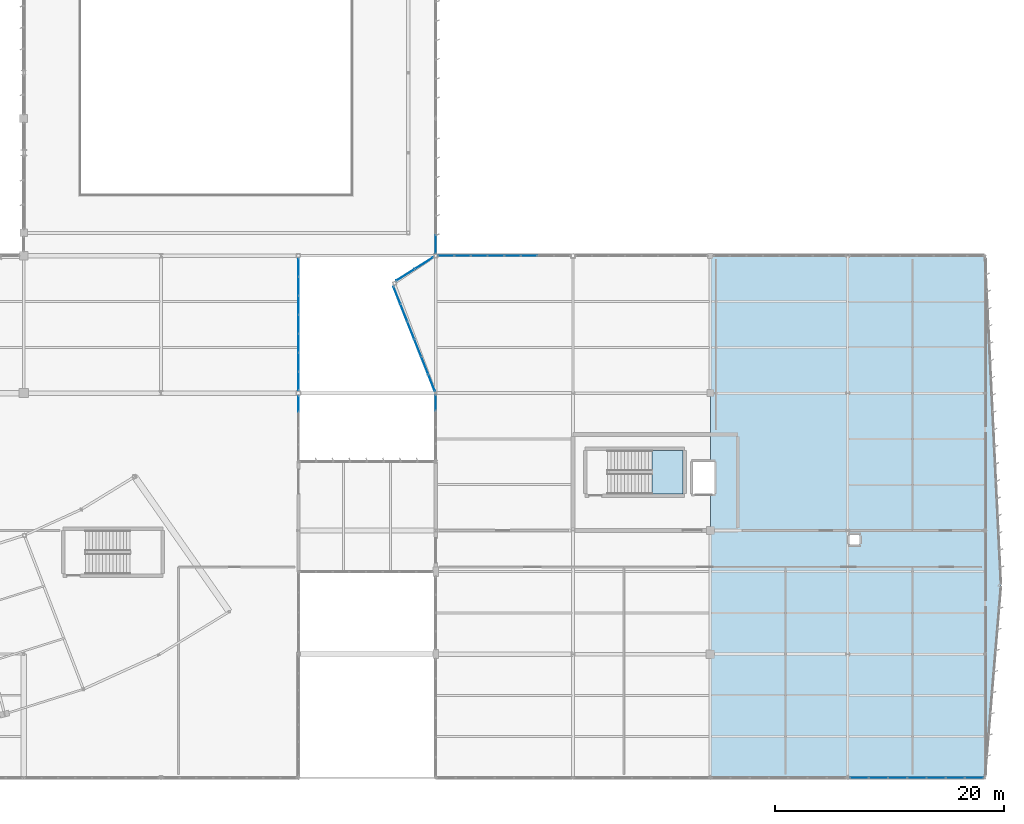
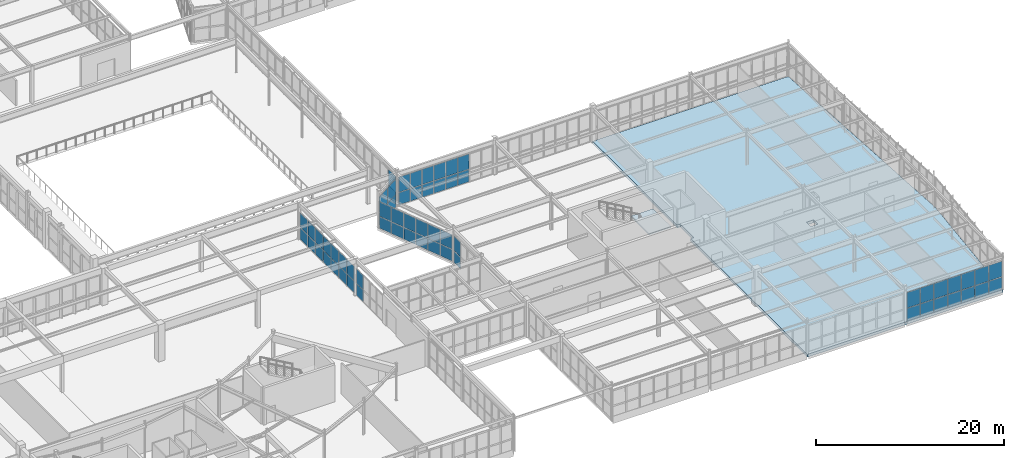
# One storey, part 121 of 186: 62 plates, 2 slabs, 9 elements without a shape of their own.
"""IFC4 building model written with IfcOpenShell, lengths in metres."""

from ifc_helpers import new_model, si_unit, direction, frame, origin, origin_2d, place, context, subcontext, project, spatial, polyline, rectangle, outline, extrude, material, layer, layer_set, type_object, element, aggregate, save


model = new_model("IFC4")

# Units and contexts
model_context = context("Model", 3, precision=1e-05, world=origin(), true_north=direction((0.0, 1.0)))
body_context = subcontext(model_context, "Body", "Model", "MODEL_VIEW")
ifc_project = project(units=[si_unit("LENGTHUNIT", "METRE"), si_unit("AREAUNIT", "SQUARE_METRE"), si_unit("VOLUMEUNIT", "CUBIC_METRE"), si_unit("PLANEANGLEUNIT", "RADIAN"), si_unit("MASSUNIT", "GRAM", prefix="KILO")], contexts=[model_context])

# Site, building, storey
site_placement = place(None, origin())
site = spatial("IfcSite", under=ifc_project, at=site_placement, CompositionType="ELEMENT")
building_placement = place(site_placement, origin())
building = spatial("IfcBuilding", under=site, at=building_placement, Name="Tarnwether General Hospital", CompositionType="ELEMENT")
storey_placement = place(building_placement, frame((0.0, 0.0, 9.60009765625)))
storey = spatial("IfcBuildingStorey", under=building, at=storey_placement, Name="L02", CompositionType="ELEMENT", Elevation=9.60009765625)

# Curtain wall, plates
ifc_material_1 = material(Name="Anodised aluminium", Category="aluminium")
ifc_layer_1 = layer(ifc_material_1, 0.179931640625)
ifc_layer_set_1 = layer_set([ifc_layer_1], Name="Anodised aluminium")
curtain_wall_type_1 = type_object("IfcCurtainWallType", Name="CW-06", PredefinedType="NOTDEFINED", material=ifc_layer_set_1)
curtain_wall_1_placement = place(storey_placement, origin())
curtain_wall_1 = element("IfcCurtainWall", 1, at=curtain_wall_1_placement, inside=storey, type_object=curtain_wall_type_1, Name="Curtain Wall CWG-L02-1440_575-0418", PredefinedType="NOTDEFINED")
ifc_material_2 = material(Name="Double glazed low-E glass", Category="glass")
ifc_layer_2 = layer(ifc_material_2, 0.028076171875)
ifc_layer_set_2 = layer_set([ifc_layer_2], Name="Double glazed low-E glass")
plate_type = type_object("IfcPlateType", Name="PT-CWP1", PredefinedType="CURTAIN_PANEL", material=ifc_layer_set_2)
plate_1_placement = place(storey_placement, frame((144.0, 46.6220703125, 0.06005859375), z_axis=(0.0, 0.0, 1.0), x_axis=(0.0, -1.0, 0.0)))
plate_1 = element("IfcPlate", 2, at=plate_1_placement, type_object=plate_type, Name="CW-06 panel 7.1", PredefinedType="CURTAIN_PANEL", context=body_context, shape_type="SweptSolid", body=[
    extrude(rectangle(XDim=1.584228515625, YDim=0.028076171875, at=origin_2d()), origin(), (0.0, 0.0, 1.0), 1.592041015625),
])
plate_2_placement = place(storey_placement, frame((144.0, 46.6220703125, 1.712158203125), z_axis=(0.0, 0.0, 1.0), x_axis=(0.0, -1.0, 0.0)))
plate_2 = element("IfcPlate", 3, at=plate_2_placement, type_object=plate_type, Name="CW-06 panel 7.2", PredefinedType="CURTAIN_PANEL", context=body_context, shape_type="SweptSolid", body=[
    extrude(rectangle(XDim=1.584228515625, YDim=0.028076171875, at=origin_2d()), origin(), (0.0, 0.0, 1.0), 1.9658203125),
])
aggregate(curtain_wall_1, [plate_1, plate_2])

ifc_material_3 = material(Name="Anodised aluminium", Category="aluminium")
ifc_layer_3 = layer(ifc_material_3, 0.159912109375)
ifc_layer_set_3 = layer_set([ifc_layer_3], Name="Anodised aluminium")
curtain_wall_type_2 = type_object("IfcCurtainWallType", Name="CW-15", PredefinedType="NOTDEFINED", material=ifc_layer_set_3)
curtain_wall_2_placement = place(storey_placement, origin())
curtain_wall_2 = element("IfcCurtainWall", 4, at=curtain_wall_2_placement, inside=storey, type_object=curtain_wall_type_2, Name="Curtain Wall CWG-L02-1320_454-0438", PredefinedType="NOTDEFINED")
plate_3_placement = place(storey_placement, frame((132.0, 44.5703125, 0.059814453125), z_axis=(0.0, 0.0, 1.0), x_axis=(0.0, -1.0, 0.0)))
plate_3 = element("IfcPlate", 5, at=plate_3_placement, type_object=plate_type, Name="CW-15 panel 1.1", PredefinedType="CURTAIN_PANEL", context=body_context, shape_type="SweptSolid", body=[
    extrude(rectangle(XDim=1.567626953125, YDim=0.028076171875, at=origin_2d()), origin(), (0.0, 0.0, 1.0), 1.49853515625),
])
plate_4_placement = place(storey_placement, frame((132.0, 44.5703125, 1.618408203125), z_axis=(0.0, 0.0, 1.0), x_axis=(0.0, -1.0, 0.0)))
plate_4 = element("IfcPlate", 6, at=plate_4_placement, type_object=plate_type, Name="CW-15 panel 1.2", PredefinedType="CURTAIN_PANEL", context=body_context, shape_type="SweptSolid", body=[
    extrude(rectangle(XDim=1.567626953125, YDim=0.028076171875, at=origin_2d()), origin(), (0.0, 0.0, 1.0), 1.8515625),
])
plate_5_placement = place(storey_placement, frame((132.0, 42.927734375, 0.059814453125), z_axis=(0.0, 0.0, 1.0), x_axis=(0.0, -1.0, 0.0)))
plate_5 = element("IfcPlate", 7, at=plate_5_placement, type_object=plate_type, Name="CW-15 panel 2.1", PredefinedType="CURTAIN_PANEL", context=body_context, shape_type="SweptSolid", body=[
    extrude(rectangle(XDim=1.59765625, YDim=0.028076171875, at=origin_2d()), origin(), (0.0, 0.0, 1.0), 1.49853515625),
])
plate_6_placement = place(storey_placement, frame((132.0, 42.927734375, 1.618408203125), z_axis=(0.0, 0.0, 1.0), x_axis=(0.0, -1.0, 0.0)))
plate_6 = element("IfcPlate", 8, at=plate_6_placement, type_object=plate_type, Name="CW-15 panel 2.2", PredefinedType="CURTAIN_PANEL", context=body_context, shape_type="SweptSolid", body=[
    extrude(rectangle(XDim=1.59765625, YDim=0.028076171875, at=origin_2d()), origin(), (0.0, 0.0, 1.0), 1.8515625),
])
plate_7_placement = place(storey_placement, frame((132.0, 41.27001953125, 0.059814453125), z_axis=(0.0, 0.0, 1.0), x_axis=(0.0, -1.0, 0.0)))
plate_7 = element("IfcPlate", 9, at=plate_7_placement, type_object=plate_type, Name="CW-15 panel 3.1", PredefinedType="CURTAIN_PANEL", context=body_context, shape_type="SweptSolid", body=[
    extrude(rectangle(XDim=1.59765625, YDim=0.028076171875, at=origin_2d()), origin(), (0.0, 0.0, 1.0), 1.49853515625),
])
plate_8_placement = place(storey_placement, frame((132.0, 41.27001953125, 1.618408203125), z_axis=(0.0, 0.0, 1.0), x_axis=(0.0, -1.0, 0.0)))
plate_8 = element("IfcPlate", 10, at=plate_8_placement, type_object=plate_type, Name="CW-15 panel 3.2", PredefinedType="CURTAIN_PANEL", context=body_context, shape_type="SweptSolid", body=[
    extrude(rectangle(XDim=1.59765625, YDim=0.028076171875, at=origin_2d()), origin(), (0.0, 0.0, 1.0), 1.8515625),
])
plate_9_placement = place(storey_placement, frame((132.0, 39.612548828125, 0.059814453125), z_axis=(0.0, 0.0, 1.0), x_axis=(0.0, -1.0, 0.0)))
plate_9 = element("IfcPlate", 11, at=plate_9_placement, type_object=plate_type, Name="CW-15 panel 4.1", PredefinedType="CURTAIN_PANEL", context=body_context, shape_type="SweptSolid", body=[
    extrude(rectangle(XDim=1.59765625, YDim=0.028076171875, at=origin_2d()), origin(), (0.0, 0.0, 1.0), 1.49853515625),
])
plate_10_placement = place(storey_placement, frame((132.0, 39.612548828125, 1.618408203125), z_axis=(0.0, 0.0, 1.0), x_axis=(0.0, -1.0, 0.0)))
plate_10 = element("IfcPlate", 12, at=plate_10_placement, type_object=plate_type, Name="CW-15 panel 4.2", PredefinedType="CURTAIN_PANEL", context=body_context, shape_type="SweptSolid", body=[
    extrude(rectangle(XDim=1.59765625, YDim=0.028076171875, at=origin_2d()), origin(), (0.0, 0.0, 1.0), 1.8515625),
])
plate_11_placement = place(storey_placement, frame((132.0, 37.954833984375, 0.059814453125), z_axis=(0.0, 0.0, 1.0), x_axis=(0.0, -1.0, 0.0)))
plate_11 = element("IfcPlate", 13, at=plate_11_placement, type_object=plate_type, Name="CW-15 panel 5.1", PredefinedType="CURTAIN_PANEL", context=body_context, shape_type="SweptSolid", body=[
    extrude(rectangle(XDim=1.59765625, YDim=0.028076171875, at=origin_2d()), origin(), (0.0, 0.0, 1.0), 1.49853515625),
])
plate_12_placement = place(storey_placement, frame((132.0, 37.954833984375, 1.618408203125), z_axis=(0.0, 0.0, 1.0), x_axis=(0.0, -1.0, 0.0)))
plate_12 = element("IfcPlate", 14, at=plate_12_placement, type_object=plate_type, Name="CW-15 panel 5.2", PredefinedType="CURTAIN_PANEL", context=body_context, shape_type="SweptSolid", body=[
    extrude(rectangle(XDim=1.59765625, YDim=0.028076171875, at=origin_2d()), origin(), (0.0, 0.0, 1.0), 1.8515625),
])
plate_13_placement = place(storey_placement, frame((132.0, 36.29736328125, 0.059814453125), z_axis=(0.0, 0.0, 1.0), x_axis=(0.0, -1.0, 0.0)))
plate_13 = element("IfcPlate", 15, at=plate_13_placement, type_object=plate_type, Name="CW-15 panel 6.1", PredefinedType="CURTAIN_PANEL", context=body_context, shape_type="SweptSolid", body=[
    extrude(rectangle(XDim=1.59765625, YDim=0.028076171875, at=origin_2d()), origin(), (0.0, 0.0, 1.0), 1.49853515625),
])
plate_14_placement = place(storey_placement, frame((132.0, 36.29736328125, 1.618408203125), z_axis=(0.0, 0.0, 1.0), x_axis=(0.0, -1.0, 0.0)))
plate_14 = element("IfcPlate", 16, at=plate_14_placement, type_object=plate_type, Name="CW-15 panel 6.2", PredefinedType="CURTAIN_PANEL", context=body_context, shape_type="SweptSolid", body=[
    extrude(rectangle(XDim=1.59765625, YDim=0.028076171875, at=origin_2d()), origin(), (0.0, 0.0, 1.0), 1.8515625),
])
plate_15_placement = place(storey_placement, frame((132.0, 34.65478515625, 0.059814453125), z_axis=(0.0, 0.0, 1.0), x_axis=(0.0, -1.0, 0.0)))
plate_15 = element("IfcPlate", 17, at=plate_15_placement, type_object=plate_type, Name="CW-15 panel 7.1", PredefinedType="CURTAIN_PANEL", context=body_context, shape_type="SweptSolid", body=[
    extrude(rectangle(XDim=1.567626953125, YDim=0.028076171875, at=origin_2d()), origin(), (0.0, 0.0, 1.0), 1.49853515625),
])
plate_16_placement = place(storey_placement, frame((132.0, 34.65478515625, 1.618408203125), z_axis=(0.0, 0.0, 1.0), x_axis=(0.0, -1.0, 0.0)))
plate_16 = element("IfcPlate", 18, at=plate_16_placement, type_object=plate_type, Name="CW-15 panel 7.2", PredefinedType="CURTAIN_PANEL", context=body_context, shape_type="SweptSolid", body=[
    extrude(rectangle(XDim=1.567626953125, YDim=0.028076171875, at=origin_2d()), origin(), (0.0, 0.0, 1.0), 1.8515625),
])
aggregate(curtain_wall_2, [plate_3, plate_4, plate_5, plate_6, plate_7, plate_8, plate_9, plate_10, plate_11, plate_12, plate_13, plate_14, plate_15, plate_16])

curtain_wall_3_placement = place(storey_placement, origin())
curtain_wall_3 = element("IfcCurtainWall", 19, at=curtain_wall_3_placement, inside=storey, type_object=curtain_wall_type_2, Name="Curtain Wall CWG-L02-1320_334-0439", PredefinedType="NOTDEFINED")
plate_17_placement = place(storey_placement, frame((132.0, 32.660888671875, 0.059814453125), z_axis=(0.0, 0.0, 1.0), x_axis=(0.0, -1.0, 0.0)))
plate_17 = element("IfcPlate", 20, at=plate_17_placement, type_object=plate_type, Name="CW-15 panel 1.1", PredefinedType="CURTAIN_PANEL", context=body_context, shape_type="SweptSolid", body=[
    extrude(rectangle(XDim=1.336181640625, YDim=0.028076171875, at=origin_2d()), origin(), (0.0, 0.0, 1.0), 1.49853515625),
])
plate_18_placement = place(storey_placement, frame((132.0, 32.660888671875, 1.618408203125), z_axis=(0.0, 0.0, 1.0), x_axis=(0.0, -1.0, 0.0)))
plate_18 = element("IfcPlate", 21, at=plate_18_placement, type_object=plate_type, Name="CW-15 panel 1.2", PredefinedType="CURTAIN_PANEL", context=body_context, shape_type="SweptSolid", body=[
    extrude(rectangle(XDim=1.336181640625, YDim=0.028076171875, at=origin_2d()), origin(), (0.0, 0.0, 1.0), 1.8515625),
])
aggregate(curtain_wall_3, [plate_17, plate_18])

curtain_wall_4_placement = place(storey_placement, origin())
curtain_wall_4 = element("IfcCurtainWall", 22, at=curtain_wall_4_placement, inside=storey, type_object=curtain_wall_type_2, Name="Curtain Wall CWG-L02-1440_277-0440", PredefinedType="NOTDEFINED")
plate_19_placement = place(storey_placement, frame((144.0, 32.7529296875, 0.059814453125), z_axis=(0.0, 0.0, 1.0), x_axis=(0.0, 1.0, 0.0)))
plate_19 = element("IfcPlate", 23, at=plate_19_placement, type_object=plate_type, Name="CW-15 panel 4.1", PredefinedType="CURTAIN_PANEL", context=body_context, shape_type="SweptSolid", body=[
    extrude(rectangle(XDim=1.347900390625, YDim=0.028076171875, at=origin_2d()), origin(), (0.0, 0.0, 1.0), 1.49853515625),
])
plate_20_placement = place(storey_placement, frame((144.0, 32.7529296875, 1.618408203125), z_axis=(0.0, 0.0, 1.0), x_axis=(0.0, 1.0, 0.0)))
plate_20 = element("IfcPlate", 24, at=plate_20_placement, type_object=plate_type, Name="CW-15 panel 4.2", PredefinedType="CURTAIN_PANEL", context=body_context, shape_type="SweptSolid", body=[
    extrude(rectangle(XDim=1.347900390625, YDim=0.028076171875, at=origin_2d()), origin(), (0.0, 0.0, 1.0), 1.8515625),
])
aggregate(curtain_wall_4, [plate_19, plate_20])

curtain_wall_5_placement = place(storey_placement, origin())
curtain_wall_5 = element("IfcCurtainWall", 25, at=curtain_wall_5_placement, inside=storey, type_object=curtain_wall_type_2, Name="Curtain Wall CWG-L02-1439_337-0441", PredefinedType="NOTDEFINED")
plate_21_placement = place(storey_placement, frame((143.6376953125, 34.514404296875, 0.059814453125), z_axis=(0.0, 0.0, 1.0), x_axis=(-0.367993898659, 0.929828204858, 0.0)))
plate_21 = element("IfcPlate", 26, at=plate_21_placement, type_object=plate_type, Name="CW-15 panel 1.1", PredefinedType="CURTAIN_PANEL", context=body_context, shape_type="SweptSolid", body=[
    extrude(rectangle(XDim=1.560791015625, YDim=0.028076171875, at=origin_2d()), origin(), (0.0, 0.0, 1.0), 1.49853515625),
])
plate_22_placement = place(storey_placement, frame((143.6376953125, 34.514404296875, 1.618408203125), z_axis=(0.0, 0.0, 1.0), x_axis=(-0.367993898659, 0.929828204858, 0.0)))
plate_22 = element("IfcPlate", 27, at=plate_22_placement, type_object=plate_type, Name="CW-15 panel 1.2", PredefinedType="CURTAIN_PANEL", context=body_context, shape_type="SweptSolid", body=[
    extrude(rectangle(XDim=1.560791015625, YDim=0.028076171875, at=origin_2d()), origin(), (0.0, 0.0, 1.0), 1.8515625),
])
plate_23_placement = place(storey_placement, frame((143.03564453125, 36.035400390625, 0.059814453125), z_axis=(0.0, 0.0, 1.0), x_axis=(-0.367993898659, 0.929828204858, 0.0)))
plate_23 = element("IfcPlate", 28, at=plate_23_placement, type_object=plate_type, Name="CW-15 panel 2.1", PredefinedType="CURTAIN_PANEL", context=body_context, shape_type="SweptSolid", body=[
    extrude(rectangle(XDim=1.5908203125, YDim=0.028076171875, at=origin_2d()), origin(), (0.0, 0.0, 1.0), 1.49853515625),
])
plate_24_placement = place(storey_placement, frame((143.03564453125, 36.035400390625, 1.618408203125), z_axis=(0.0, 0.0, 1.0), x_axis=(-0.367993898659, 0.929828204858, 0.0)))
plate_24 = element("IfcPlate", 29, at=plate_24_placement, type_object=plate_type, Name="CW-15 panel 2.2", PredefinedType="CURTAIN_PANEL", context=body_context, shape_type="SweptSolid", body=[
    extrude(rectangle(XDim=1.5908203125, YDim=0.028076171875, at=origin_2d()), origin(), (0.0, 0.0, 1.0), 1.8515625),
])
plate_25_placement = place(storey_placement, frame((142.42822265625, 37.570556640625, 0.059814453125), z_axis=(0.0, 0.0, 1.0), x_axis=(-0.367993898659, 0.929828204858, 0.0)))
plate_25 = element("IfcPlate", 30, at=plate_25_placement, type_object=plate_type, Name="CW-15 panel 3.1", PredefinedType="CURTAIN_PANEL", context=body_context, shape_type="SweptSolid", body=[
    extrude(rectangle(XDim=1.5908203125, YDim=0.028076171875, at=origin_2d()), origin(), (0.0, 0.0, 1.0), 1.49853515625),
])
plate_26_placement = place(storey_placement, frame((142.42822265625, 37.570556640625, 1.618408203125), z_axis=(0.0, 0.0, 1.0), x_axis=(-0.367993898659, 0.929828204858, 0.0)))
plate_26 = element("IfcPlate", 31, at=plate_26_placement, type_object=plate_type, Name="CW-15 panel 3.2", PredefinedType="CURTAIN_PANEL", context=body_context, shape_type="SweptSolid", body=[
    extrude(rectangle(XDim=1.5908203125, YDim=0.028076171875, at=origin_2d()), origin(), (0.0, 0.0, 1.0), 1.8515625),
])
plate_27_placement = place(storey_placement, frame((141.82080078125, 39.10546875, 0.059814453125), z_axis=(0.0, 0.0, 1.0), x_axis=(-0.367993898659, 0.929828204858, 0.0)))
plate_27 = element("IfcPlate", 32, at=plate_27_placement, type_object=plate_type, Name="CW-15 panel 4.1", PredefinedType="CURTAIN_PANEL", context=body_context, shape_type="SweptSolid", body=[
    extrude(rectangle(XDim=1.5908203125, YDim=0.028076171875, at=origin_2d()), origin(), (0.0, 0.0, 1.0), 1.49853515625),
])
plate_28_placement = place(storey_placement, frame((141.82080078125, 39.10546875, 1.618408203125), z_axis=(0.0, 0.0, 1.0), x_axis=(-0.367993898659, 0.929828204858, 0.0)))
plate_28 = element("IfcPlate", 33, at=plate_28_placement, type_object=plate_type, Name="CW-15 panel 4.2", PredefinedType="CURTAIN_PANEL", context=body_context, shape_type="SweptSolid", body=[
    extrude(rectangle(XDim=1.5908203125, YDim=0.028076171875, at=origin_2d()), origin(), (0.0, 0.0, 1.0), 1.8515625),
])
plate_29_placement = place(storey_placement, frame((141.213134765625, 40.640380859375, 0.059814453125), z_axis=(0.0, 0.0, 1.0), x_axis=(-0.367993898659, 0.929828204858, 0.0)))
plate_29 = element("IfcPlate", 34, at=plate_29_placement, type_object=plate_type, Name="CW-15 panel 5.1", PredefinedType="CURTAIN_PANEL", context=body_context, shape_type="SweptSolid", body=[
    extrude(rectangle(XDim=1.5908203125, YDim=0.028076171875, at=origin_2d()), origin(), (0.0, 0.0, 1.0), 1.49853515625),
])
plate_30_placement = place(storey_placement, frame((141.213134765625, 40.640380859375, 1.618408203125), z_axis=(0.0, 0.0, 1.0), x_axis=(-0.367993898659, 0.929828204858, 0.0)))
plate_30 = element("IfcPlate", 35, at=plate_30_placement, type_object=plate_type, Name="CW-15 panel 5.2", PredefinedType="CURTAIN_PANEL", context=body_context, shape_type="SweptSolid", body=[
    extrude(rectangle(XDim=1.5908203125, YDim=0.028076171875, at=origin_2d()), origin(), (0.0, 0.0, 1.0), 1.8515625),
])
plate_31_placement = place(storey_placement, frame((140.611328125, 42.16162109375, 0.059814453125), z_axis=(0.0, 0.0, 1.0), x_axis=(-0.367993898659, 0.929828204858, 0.0)))
plate_31 = element("IfcPlate", 36, at=plate_31_placement, type_object=plate_type, Name="CW-15 panel 6.1", PredefinedType="CURTAIN_PANEL", context=body_context, shape_type="SweptSolid", body=[
    extrude(rectangle(XDim=1.560791015625, YDim=0.028076171875, at=origin_2d()), origin(), (0.0, 0.0, 1.0), 1.49853515625),
])
plate_32_placement = place(storey_placement, frame((140.611328125, 42.16162109375, 1.618408203125), z_axis=(0.0, 0.0, 1.0), x_axis=(-0.367993898659, 0.929828204858, 0.0)))
plate_32 = element("IfcPlate", 37, at=plate_32_placement, type_object=plate_type, Name="CW-15 panel 6.2", PredefinedType="CURTAIN_PANEL", context=body_context, shape_type="SweptSolid", body=[
    extrude(rectangle(XDim=1.560791015625, YDim=0.028076171875, at=origin_2d()), origin(), (0.0, 0.0, 1.0), 1.8515625),
])
aggregate(curtain_wall_5, [plate_21, plate_22, plate_23, plate_24, plate_25, plate_26, plate_27, plate_28, plate_29, plate_30, plate_31, plate_32])

curtain_wall_6_placement = place(storey_placement, origin())
curtain_wall_6 = element("IfcCurtainWall", 38, at=curtain_wall_6_placement, inside=storey, type_object=curtain_wall_type_2, Name="Curtain Wall CWG-L02-1405_434-0442", PredefinedType="NOTDEFINED")
plate_33_placement = place(storey_placement, frame((141.357421875, 43.9306640625, 0.06005859375), z_axis=(0.0, 0.0, 1.0), x_axis=(0.845482775896, 0.534002692561, 0.0)))
plate_33 = element("IfcPlate", 39, at=plate_33_placement, type_object=plate_type, Name="CW-15 panel 1.1", PredefinedType="CURTAIN_PANEL", context=body_context, shape_type="SweptSolid", body=[
    extrude(rectangle(XDim=1.84912109375, YDim=0.028076171875, at=origin_2d()), origin(), (0.0, 0.0, 1.0), 1.592041015625),
])
plate_34_placement = place(storey_placement, frame((141.357421875, 43.9306640625, 1.712158203125), z_axis=(0.0, 0.0, 1.0), x_axis=(0.845482775896, 0.534002692561, 0.0)))
plate_34 = element("IfcPlate", 40, at=plate_34_placement, type_object=plate_type, Name="CW-15 panel 1.2", PredefinedType="CURTAIN_PANEL", context=body_context, shape_type="SweptSolid", body=[
    extrude(rectangle(XDim=1.84912109375, YDim=0.028076171875, at=origin_2d()), origin(), (0.0, 0.0, 1.0), 1.9658203125),
])
plate_35_placement = place(storey_placement, frame((142.9716796875, 44.9501953125, 0.06005859375), z_axis=(0.0, 0.0, 1.0), x_axis=(0.845482775896, 0.534002692561, 0.0)))
plate_35 = element("IfcPlate", 41, at=plate_35_placement, type_object=plate_type, Name="CW-15 panel 2.1", PredefinedType="CURTAIN_PANEL", context=body_context, shape_type="SweptSolid", body=[
    extrude(rectangle(XDim=1.84912109375, YDim=0.028076171875, at=origin_2d()), origin(), (0.0, 0.0, 1.0), 1.592041015625),
])
plate_36_placement = place(storey_placement, frame((142.9716796875, 44.9501953125, 1.712158203125), z_axis=(0.0, 0.0, 1.0), x_axis=(0.845482775896, 0.534002692561, 0.0)))
plate_36 = element("IfcPlate", 42, at=plate_36_placement, type_object=plate_type, Name="CW-15 panel 2.2", PredefinedType="CURTAIN_PANEL", context=body_context, shape_type="SweptSolid", body=[
    extrude(rectangle(XDim=1.84912109375, YDim=0.028076171875, at=origin_2d()), origin(), (0.0, 0.0, 1.0), 1.9658203125),
])
aggregate(curtain_wall_6, [plate_33, plate_34, plate_35, plate_36])

ifc_material_4 = material(Name="Anodised aluminium", Category="aluminium")
ifc_layer_4 = layer(ifc_material_4, 0.159912109375)
ifc_layer_set_4 = layer_set([ifc_layer_4], Name="Anodised aluminium")
curtain_wall_type_3 = type_object("IfcCurtainWallType", Name="CW-18", PredefinedType="NOTDEFINED", material=ifc_layer_set_4)
curtain_wall_7_placement = place(storey_placement, origin())
curtain_wall_7 = element("IfcCurtainWall", 43, at=curtain_wall_7_placement, inside=storey, type_object=curtain_wall_type_3, Name="Curtain Wall CWG-L02-1442_456-0452", PredefinedType="NOTDEFINED")
plate_37_placement = place(storey_placement, frame((144.9111328125, 45.60009765625, 0.06005859375), z_axis=(0.0, 0.0, 1.0), x_axis=(1.0, 0.0, 0.0)))
plate_37 = element("IfcPlate", 44, at=plate_37_placement, type_object=plate_type, Name="CW-18 panel 1.1", PredefinedType="CURTAIN_PANEL", context=body_context, shape_type="SweptSolid", body=[
    extrude(rectangle(XDim=1.3623046875, YDim=0.028076171875, at=origin_2d()), origin(), (0.0, 0.0, 1.0), 1.592041015625),
])
plate_38_placement = place(storey_placement, frame((144.9111328125, 45.60009765625, 1.712158203125), z_axis=(0.0, 0.0, 1.0), x_axis=(1.0, 0.0, 0.0)))
plate_38 = element("IfcPlate", 45, at=plate_38_placement, type_object=plate_type, Name="CW-18 panel 1.2", PredefinedType="CURTAIN_PANEL", context=body_context, shape_type="SweptSolid", body=[
    extrude(rectangle(XDim=1.3623046875, YDim=0.028076171875, at=origin_2d()), origin(), (0.0, 0.0, 1.0), 1.9658203125),
])
plate_39_placement = place(storey_placement, frame((146.3486328125, 45.60009765625, 0.06005859375), z_axis=(0.0, 0.0, 1.0), x_axis=(1.0, 0.0, 0.0)))
plate_39 = element("IfcPlate", 46, at=plate_39_placement, type_object=plate_type, Name="CW-18 panel 2.1", PredefinedType="CURTAIN_PANEL", context=body_context, shape_type="SweptSolid", body=[
    extrude(rectangle(XDim=1.392333984375, YDim=0.028076171875, at=origin_2d()), origin(), (0.0, 0.0, 1.0), 1.592041015625),
])
plate_40_placement = place(storey_placement, frame((146.3486328125, 45.60009765625, 1.712158203125), z_axis=(0.0, 0.0, 1.0), x_axis=(1.0, 0.0, 0.0)))
plate_40 = element("IfcPlate", 47, at=plate_40_placement, type_object=plate_type, Name="CW-18 panel 2.2", PredefinedType="CURTAIN_PANEL", context=body_context, shape_type="SweptSolid", body=[
    extrude(rectangle(XDim=1.392333984375, YDim=0.028076171875, at=origin_2d()), origin(), (0.0, 0.0, 1.0), 1.9658203125),
])
plate_41_placement = place(storey_placement, frame((147.801025390625, 45.60009765625, 0.06005859375), z_axis=(0.0, 0.0, 1.0), x_axis=(1.0, 0.0, 0.0)))
plate_41 = element("IfcPlate", 48, at=plate_41_placement, type_object=plate_type, Name="CW-18 panel 3.1", PredefinedType="CURTAIN_PANEL", context=body_context, shape_type="SweptSolid", body=[
    extrude(rectangle(XDim=1.392333984375, YDim=0.028076171875, at=origin_2d()), origin(), (0.0, 0.0, 1.0), 1.592041015625),
])
plate_42_placement = place(storey_placement, frame((147.801025390625, 45.60009765625, 1.712158203125), z_axis=(0.0, 0.0, 1.0), x_axis=(1.0, 0.0, 0.0)))
plate_42 = element("IfcPlate", 49, at=plate_42_placement, type_object=plate_type, Name="CW-18 panel 3.2", PredefinedType="CURTAIN_PANEL", context=body_context, shape_type="SweptSolid", body=[
    extrude(rectangle(XDim=1.392333984375, YDim=0.028076171875, at=origin_2d()), origin(), (0.0, 0.0, 1.0), 1.9658203125),
])
plate_43_placement = place(storey_placement, frame((149.25341796875, 45.60009765625, 0.06005859375), z_axis=(0.0, 0.0, 1.0), x_axis=(1.0, 0.0, 0.0)))
plate_43 = element("IfcPlate", 50, at=plate_43_placement, type_object=plate_type, Name="CW-18 panel 4.1", PredefinedType="CURTAIN_PANEL", context=body_context, shape_type="SweptSolid", body=[
    extrude(rectangle(XDim=1.392333984375, YDim=0.028076171875, at=origin_2d()), origin(), (0.0, 0.0, 1.0), 1.592041015625),
])
plate_44_placement = place(storey_placement, frame((149.25341796875, 45.60009765625, 1.712158203125), z_axis=(0.0, 0.0, 1.0), x_axis=(1.0, 0.0, 0.0)))
plate_44 = element("IfcPlate", 51, at=plate_44_placement, type_object=plate_type, Name="CW-18 panel 4.2", PredefinedType="CURTAIN_PANEL", context=body_context, shape_type="SweptSolid", body=[
    extrude(rectangle(XDim=1.392333984375, YDim=0.028076171875, at=origin_2d()), origin(), (0.0, 0.0, 1.0), 1.9658203125),
])
plate_45_placement = place(storey_placement, frame((150.70556640625, 45.60009765625, 0.06005859375), z_axis=(0.0, 0.0, 1.0), x_axis=(1.0, 0.0, 0.0)))
plate_45 = element("IfcPlate", 52, at=plate_45_placement, type_object=plate_type, Name="CW-18 panel 5.1", PredefinedType="CURTAIN_PANEL", context=body_context, shape_type="SweptSolid", body=[
    extrude(rectangle(XDim=1.392333984375, YDim=0.028076171875, at=origin_2d()), origin(), (0.0, 0.0, 1.0), 1.592041015625),
])
plate_46_placement = place(storey_placement, frame((150.70556640625, 45.60009765625, 1.712158203125), z_axis=(0.0, 0.0, 1.0), x_axis=(1.0, 0.0, 0.0)))
plate_46 = element("IfcPlate", 53, at=plate_46_placement, type_object=plate_type, Name="CW-18 panel 5.2", PredefinedType="CURTAIN_PANEL", context=body_context, shape_type="SweptSolid", body=[
    extrude(rectangle(XDim=1.392333984375, YDim=0.028076171875, at=origin_2d()), origin(), (0.0, 0.0, 1.0), 1.9658203125),
])
plate_47_placement = place(storey_placement, frame((152.157958984375, 45.60009765625, 0.06005859375), z_axis=(0.0, 0.0, 1.0), x_axis=(1.0, 0.0, 0.0)))
plate_47 = element("IfcPlate", 54, at=plate_47_placement, type_object=plate_type, Name="CW-18 panel 6.1", PredefinedType="CURTAIN_PANEL", context=body_context, shape_type="SweptSolid", body=[
    extrude(rectangle(XDim=1.392333984375, YDim=0.028076171875, at=origin_2d()), origin(), (0.0, 0.0, 1.0), 1.592041015625),
])
plate_48_placement = place(storey_placement, frame((152.157958984375, 45.60009765625, 1.712158203125), z_axis=(0.0, 0.0, 1.0), x_axis=(1.0, 0.0, 0.0)))
plate_48 = element("IfcPlate", 55, at=plate_48_placement, type_object=plate_type, Name="CW-18 panel 6.2", PredefinedType="CURTAIN_PANEL", context=body_context, shape_type="SweptSolid", body=[
    extrude(rectangle(XDim=1.392333984375, YDim=0.028076171875, at=origin_2d()), origin(), (0.0, 0.0, 1.0), 1.9658203125),
])
aggregate(curtain_wall_7, [plate_37, plate_38, plate_39, plate_40, plate_41, plate_42, plate_43, plate_44, plate_45, plate_46, plate_47, plate_48])

ifc_material_5 = material(Name="Anodised aluminium", Category="aluminium")
ifc_layer_5 = layer(ifc_material_5, 0.159912109375)
ifc_layer_set_5 = layer_set([ifc_layer_5], Name="Anodised aluminium")
curtain_wall_type_4 = type_object("IfcCurtainWallType", Name="CW-19", PredefinedType="NOTDEFINED", material=ifc_layer_set_5)
curtain_wall_8_placement = place(storey_placement, origin())
curtain_wall_8 = element("IfcCurtainWall", 56, at=curtain_wall_8_placement, inside=storey, type_object=curtain_wall_type_4, Name="Curtain Wall CWG-L02-1919_0-0456", PredefinedType="NOTDEFINED")
plate_49_placement = place(storey_placement, frame((191.060302734375, 0.0, 0.059814453125), z_axis=(0.0, 0.0, 1.0), x_axis=(-1.0, 0.0, 0.0)))
plate_49 = element("IfcPlate", 57, at=plate_49_placement, type_object=plate_type, Name="CW-19 panel 1.1", PredefinedType="CURTAIN_PANEL", context=body_context, shape_type="SweptSolid", body=[
    extrude(rectangle(XDim=1.589599609375, YDim=0.028076171875, at=origin_2d()), origin(), (0.0, 0.0, 1.0), 1.63037109375),
])
plate_50_placement = place(storey_placement, frame((191.060302734375, 0.0, 1.750244140625), z_axis=(0.0, 0.0, 1.0), x_axis=(-1.0, 0.0, 0.0)))
plate_50 = element("IfcPlate", 58, at=plate_50_placement, type_object=plate_type, Name="CW-19 panel 1.2", PredefinedType="CURTAIN_PANEL", context=body_context, shape_type="SweptSolid", body=[
    extrude(rectangle(XDim=1.589599609375, YDim=0.028076171875, at=origin_2d()), origin(), (0.0, 0.0, 1.0), 2.0126953125),
])
plate_51_placement = place(storey_placement, frame((189.395751953125, 0.0, 0.059814453125), z_axis=(0.0, 0.0, 1.0), x_axis=(-1.0, 0.0, 0.0)))
plate_51 = element("IfcPlate", 59, at=plate_51_placement, type_object=plate_type, Name="CW-19 panel 2.1", PredefinedType="CURTAIN_PANEL", context=body_context, shape_type="SweptSolid", body=[
    extrude(rectangle(XDim=1.61962890625, YDim=0.028076171875, at=origin_2d()), origin(), (0.0, 0.0, 1.0), 1.63037109375),
])
plate_52_placement = place(storey_placement, frame((189.395751953125, 0.0, 1.750244140625), z_axis=(0.0, 0.0, 1.0), x_axis=(-1.0, 0.0, 0.0)))
plate_52 = element("IfcPlate", 60, at=plate_52_placement, type_object=plate_type, Name="CW-19 panel 2.2", PredefinedType="CURTAIN_PANEL", context=body_context, shape_type="SweptSolid", body=[
    extrude(rectangle(XDim=1.61962890625, YDim=0.028076171875, at=origin_2d()), origin(), (0.0, 0.0, 1.0), 2.0126953125),
])
plate_53_placement = place(storey_placement, frame((187.716064453125, 0.0, 0.059814453125), z_axis=(0.0, 0.0, 1.0), x_axis=(-1.0, 0.0, 0.0)))
plate_53 = element("IfcPlate", 61, at=plate_53_placement, type_object=plate_type, Name="CW-19 panel 3.1", PredefinedType="CURTAIN_PANEL", context=body_context, shape_type="SweptSolid", body=[
    extrude(rectangle(XDim=1.61962890625, YDim=0.028076171875, at=origin_2d()), origin(), (0.0, 0.0, 1.0), 1.63037109375),
])
plate_54_placement = place(storey_placement, frame((187.716064453125, 0.0, 1.750244140625), z_axis=(0.0, 0.0, 1.0), x_axis=(-1.0, 0.0, 0.0)))
plate_54 = element("IfcPlate", 62, at=plate_54_placement, type_object=plate_type, Name="CW-19 panel 3.2", PredefinedType="CURTAIN_PANEL", context=body_context, shape_type="SweptSolid", body=[
    extrude(rectangle(XDim=1.61962890625, YDim=0.028076171875, at=origin_2d()), origin(), (0.0, 0.0, 1.0), 2.0126953125),
])
plate_55_placement = place(storey_placement, frame((186.03662109375, 0.0, 0.059814453125), z_axis=(0.0, 0.0, 1.0), x_axis=(-1.0, 0.0, 0.0)))
plate_55 = element("IfcPlate", 63, at=plate_55_placement, type_object=plate_type, Name="CW-19 panel 4.1", PredefinedType="CURTAIN_PANEL", context=body_context, shape_type="SweptSolid", body=[
    extrude(rectangle(XDim=1.61962890625, YDim=0.028076171875, at=origin_2d()), origin(), (0.0, 0.0, 1.0), 1.63037109375),
])
plate_56_placement = place(storey_placement, frame((186.03662109375, 0.0, 1.750244140625), z_axis=(0.0, 0.0, 1.0), x_axis=(-1.0, 0.0, 0.0)))
plate_56 = element("IfcPlate", 64, at=plate_56_placement, type_object=plate_type, Name="CW-19 panel 4.2", PredefinedType="CURTAIN_PANEL", context=body_context, shape_type="SweptSolid", body=[
    extrude(rectangle(XDim=1.61962890625, YDim=0.028076171875, at=origin_2d()), origin(), (0.0, 0.0, 1.0), 2.0126953125),
])
plate_57_placement = place(storey_placement, frame((184.35693359375, 0.0, 0.059814453125), z_axis=(0.0, 0.0, 1.0), x_axis=(-1.0, 0.0, 0.0)))
plate_57 = element("IfcPlate", 65, at=plate_57_placement, type_object=plate_type, Name="CW-19 panel 5.1", PredefinedType="CURTAIN_PANEL", context=body_context, shape_type="SweptSolid", body=[
    extrude(rectangle(XDim=1.61962890625, YDim=0.028076171875, at=origin_2d()), origin(), (0.0, 0.0, 1.0), 1.63037109375),
])
plate_58_placement = place(storey_placement, frame((184.35693359375, 0.0, 1.750244140625), z_axis=(0.0, 0.0, 1.0), x_axis=(-1.0, 0.0, 0.0)))
plate_58 = element("IfcPlate", 66, at=plate_58_placement, type_object=plate_type, Name="CW-19 panel 5.2", PredefinedType="CURTAIN_PANEL", context=body_context, shape_type="SweptSolid", body=[
    extrude(rectangle(XDim=1.61962890625, YDim=0.028076171875, at=origin_2d()), origin(), (0.0, 0.0, 1.0), 2.0126953125),
])
plate_59_placement = place(storey_placement, frame((182.67724609375, 0.0, 0.059814453125), z_axis=(0.0, 0.0, 1.0), x_axis=(-1.0, 0.0, 0.0)))
plate_59 = element("IfcPlate", 67, at=plate_59_placement, type_object=plate_type, Name="CW-19 panel 6.1", PredefinedType="CURTAIN_PANEL", context=body_context, shape_type="SweptSolid", body=[
    extrude(rectangle(XDim=1.61962890625, YDim=0.028076171875, at=origin_2d()), origin(), (0.0, 0.0, 1.0), 1.63037109375),
])
plate_60_placement = place(storey_placement, frame((182.67724609375, 0.0, 1.750244140625), z_axis=(0.0, 0.0, 1.0), x_axis=(-1.0, 0.0, 0.0)))
plate_60 = element("IfcPlate", 68, at=plate_60_placement, type_object=plate_type, Name="CW-19 panel 6.2", PredefinedType="CURTAIN_PANEL", context=body_context, shape_type="SweptSolid", body=[
    extrude(rectangle(XDim=1.61962890625, YDim=0.028076171875, at=origin_2d()), origin(), (0.0, 0.0, 1.0), 2.0126953125),
])
plate_61_placement = place(storey_placement, frame((181.0126953125, 0.0, 0.059814453125), z_axis=(0.0, 0.0, 1.0), x_axis=(-1.0, 0.0, 0.0)))
plate_61 = element("IfcPlate", 69, at=plate_61_placement, type_object=plate_type, Name="CW-19 panel 7.1", PredefinedType="CURTAIN_PANEL", context=body_context, shape_type="SweptSolid", body=[
    extrude(rectangle(XDim=1.589599609375, YDim=0.028076171875, at=origin_2d()), origin(), (0.0, 0.0, 1.0), 1.63037109375),
])
plate_62_placement = place(storey_placement, frame((181.0126953125, 0.0, 1.750244140625), z_axis=(0.0, 0.0, 1.0), x_axis=(-1.0, 0.0, 0.0)))
plate_62 = element("IfcPlate", 70, at=plate_62_placement, type_object=plate_type, Name="CW-19 panel 7.2", PredefinedType="CURTAIN_PANEL", context=body_context, shape_type="SweptSolid", body=[
    extrude(rectangle(XDim=1.589599609375, YDim=0.028076171875, at=origin_2d()), origin(), (0.0, 0.0, 1.0), 2.0126953125),
])
aggregate(curtain_wall_8, [plate_49, plate_50, plate_51, plate_52, plate_53, plate_54, plate_55, plate_56, plate_57, plate_58, plate_59, plate_60, plate_61, plate_62])

# Slab
ifc_material_6 = material(Name="Concrete 40 MPa", Category="concrete")
ifc_layer_6 = layer(ifc_material_6, 0.35498046875)
ifc_layer_set_6 = layer_set([ifc_layer_6], Name="Concrete 40 MPa")
slab_type_1 = type_object("IfcSlabType", Name="SL-FL220", PredefinedType="FLOOR", material=ifc_layer_set_6)
slab_1_placement = place(storey_placement, frame((0.0, 0.0, -0.35498046875)))
element("IfcSlab", 71, at=slab_1_placement, inside=storey, type_object=slab_type_1, Name="L02 Outpatient South-East Shard Floor SL-L02-V6S2", PredefinedType="FLOOR", context=body_context, shape_type="SweptSolid", body=[
    extrude(outline(polyline([(192.0, 0.0), (168.0, 0.0), (168.0, 24.77001953125), (168.3798828125, 24.77001953125), (168.3798828125, 27.6298828125), (168.0, 27.6298828125), (168.0, 45.60009765625), (192.0, 45.60009765625), (193.39990234375, 16.800048828125), (192.0, 0.0)]), holes=[polyline([(181.050048828125, 21.239990234375), (180.14990234375, 21.239990234375), (180.14990234375, 20.340087890625), (181.050048828125, 20.340087890625), (181.050048828125, 21.239990234375)])]), origin(), (0.0, 0.0, 1.0), 0.35498046875),
])

# Stair, slab
ifc_material_7 = material(Name="Concrete 40 MPa", Category="concrete")
stair_type = type_object("IfcStairType", Name="ST-DL48A", PredefinedType="HALF_TURN_STAIR", material=ifc_material_7)
stair_placement = place(storey_placement, origin())
stair = element("IfcStair", 72, at=stair_placement, inside=storey, type_object=stair_type, Name="L02 Exit Stair ST-05", PredefinedType="HALF_TURN_STAIR")
ifc_material_8 = material(Name="Concrete 40 MPa", Category="concrete")
ifc_layer_7 = layer(ifc_material_8, 0.199951171875)
ifc_layer_set_7 = layer_set([ifc_layer_7], Name="Concrete 40 MPa")
slab_type_2 = type_object("IfcSlabType", Name="SL-LD200", PredefinedType="LANDING", material=ifc_layer_set_7)
slab_2_placement = place(storey_placement, frame((0.0, 0.0, 2.199951171875)))
slab_2 = element("IfcSlab", 73, at=slab_2_placement, type_object=slab_type_2, Name="ST-05 landing 1", PredefinedType="LANDING", context=body_context, shape_type="SweptSolid", body=[
    extrude(outline(polyline([(162.89990234375, 24.800048828125), (165.60009765625, 24.800048828125), (165.60009765625, 28.60009765625), (162.89990234375, 28.60009765625), (162.89990234375, 24.800048828125)])), origin(), (0.0, 0.0, 1.0), 0.199951171875),
])
aggregate(stair, [slab_2])

save(model, "model.ifc")
